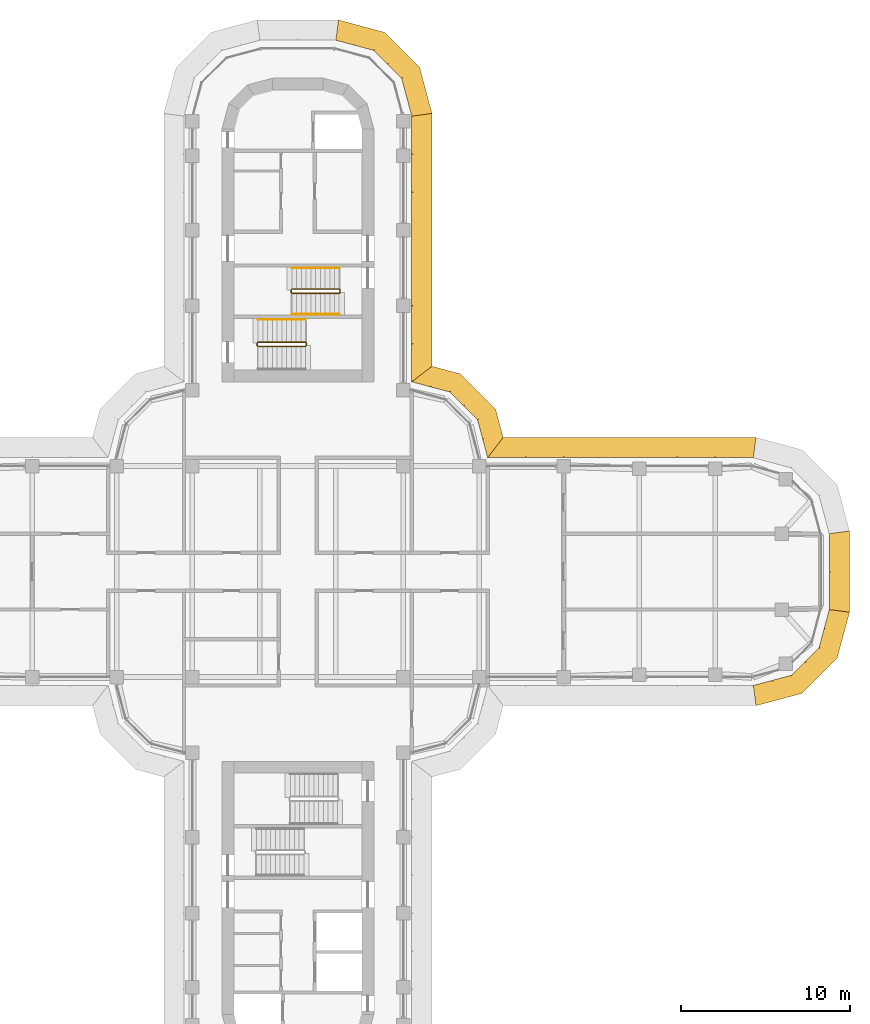
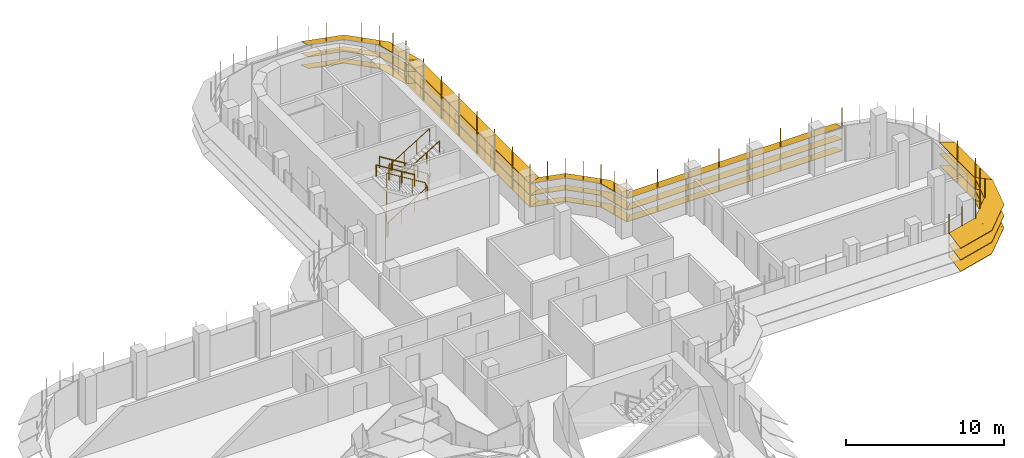
# One storey, part 18 of 19: 6 shading devices, 5 railings.
"""IFC4 building model written with IfcOpenShell, lengths in metres."""

from ifc_helpers import new_model, si_unit, direction, frame, origin, origin_2d, place, context, subcontext, project, spatial, polyline, circle, outline, extrude, faceted_brep, source, transform, mapped, material, type_object, element, save


model = new_model("IFC4")

# Units and contexts
model_context = context("Model", 3, precision=1e-05, world=origin(), true_north=direction((0.0, 1.0)))
body_context = subcontext(model_context, "Body", "Model", "MODEL_VIEW")
ifc_project = project(units=[si_unit("LENGTHUNIT", "METRE"), si_unit("AREAUNIT", "SQUARE_METRE"), si_unit("VOLUMEUNIT", "CUBIC_METRE"), si_unit("PLANEANGLEUNIT", "RADIAN"), si_unit("MASSUNIT", "GRAM", prefix="KILO")], contexts=[model_context])

# Site, building, storey
site_placement = place(None, origin())
site = spatial("IfcSite", under=ifc_project, at=site_placement, CompositionType="ELEMENT")
building_placement = place(site_placement, origin())
building = spatial("IfcBuilding", under=site, at=building_placement, Name="Zarbagh Exchange Tower", CompositionType="ELEMENT")
storey_placement = place(building_placement, frame((0.0, 0.0, 175.199951171875)))
storey = spatial("IfcBuildingStorey", under=building, at=storey_placement, Name="L42", CompositionType="ELEMENT", Elevation=175.199951171875)

# Railings
ifc_material_1 = material(Name="Stainless steel", Category="steel")
railing_type_1 = type_object("IfcRailingType", Name="Stair guard 1100 mm", PredefinedType="GUARDRAIL", material=ifc_material_1)
railing_1_placement = place(storey_placement, frame((-0.35009765625, 16.5, 2.07275390625)))
element("IfcRailing", 1, at=railing_1_placement, inside=storey, type_object=railing_type_1, Name="ST1 stair guard 1", PredefinedType="GUARDRAIL", context=body_context, shape_type="SweptSolid", body=[
    extrude(circle(Radius=0.02392578125, at=origin_2d()), frame((0.0, 0.0, 1.076171875), z_axis=(0.851089632645, 0.0, 0.525020415988), x_axis=(0.0, 1.0, 0.0)), (0.0, 0.0, 1.0), 3.2900390625),
    extrude(circle(Radius=0.02392578125, at=origin_2d()), frame((2.800048828125, 0.0, 2.80322265625), z_axis=(0.013168290981, 0.013168290981, -0.999826581076), x_axis=(-0.707106781187, 0.707106781187, 0.0)), (0.0, 0.0, 1.0), 3.80078125),
    extrude(circle(Radius=0.02392578125, at=origin_2d()), frame((2.85009765625, 0.050048828125, -0.99658203125), z_axis=(0.0, 1.0, 0.0), x_axis=(-1.0, 0.0, 0.0)), (0.0, 0.0, 1.0), 0.14990234375),
    extrude(circle(Radius=0.02392578125, at=origin_2d()), frame((2.85009765625, 0.199951171875, -0.99658203125), z_axis=(-0.267953482034, 0.267953482034, 0.925419830635), x_axis=(-0.707106781187, -0.707106781187, 0.0)), (0.0, 0.0, 1.0), 0.186767578125),
    extrude(circle(Radius=0.02392578125, at=origin_2d()), frame((2.800048828125, 0.25, -0.82373046875), z_axis=(-0.851089632645, 0.0, 0.525020415988), x_axis=(0.0, -1.0, 0.0)), (0.0, 0.0, 1.0), 3.2900390625),
    extrude(circle(Radius=0.02392578125, at=origin_2d()), frame((0.0, 0.25, 0.9033203125), z_axis=(-0.705375805398, -0.708833529934, 0.0), x_axis=(0.708833529934, -0.705375805398, 0.0)), (0.0, 0.0, 1.0), 0.070556640625),
    extrude(circle(Radius=0.02392578125, at=origin_2d()), frame((-0.0498046875, 0.199951171875, 0.9033203125), z_axis=(0.0, -1.0, 0.0), x_axis=(1.0, 0.0, 0.0)), (0.0, 0.0, 1.0), 0.14990234375),
    extrude(circle(Radius=0.02099609375, at=origin_2d()), origin(), (0.0, 0.0, 1.0), 1.052001953125),
    extrude(circle(Radius=0.02099609375, at=origin_2d()), frame((0.933349609375, 0.0, 0.57568359375)), (0.0, 0.0, 1.0), 1.052001953125),
    extrude(circle(Radius=0.02099609375, at=origin_2d()), frame((1.86669921875, 0.0, 1.151611328125)), (0.0, 0.0, 1.0), 1.052001953125),
    extrude(circle(Radius=0.02099609375, at=origin_2d()), frame((2.800048828125, 0.0, 1.727294921875)), (0.0, 0.0, 1.0), 1.052001953125),
    extrude(circle(Radius=0.02099609375, at=origin_2d()), frame((2.8125, 0.012451171875, 0.77734375)), (0.0, 0.0, 1.0), 1.052001953125),
    extrude(circle(Radius=0.02099609375, at=origin_2d()), frame((2.8251953125, 0.02490234375, -0.1728515625)), (0.0, 0.0, 1.0), 1.052001953125),
    extrude(circle(Radius=0.02099609375, at=origin_2d()), frame((2.837646484375, 0.03759765625, -1.122802734375)), (0.0, 0.0, 1.0), 1.052001953125),
    extrude(circle(Radius=0.02099609375, at=origin_2d()), frame((2.85009765625, 0.050048828125, -2.07275390625)), (0.0, 0.0, 1.0), 1.052001953125),
    extrude(circle(Radius=0.02099609375, at=origin_2d()), frame((2.85009765625, 0.199951171875, -2.07275390625)), (0.0, 0.0, 1.0), 1.052001953125),
    extrude(circle(Radius=0.02099609375, at=origin_2d()), frame((2.800048828125, 0.25, -1.89990234375)), (0.0, 0.0, 1.0), 1.052001953125),
    extrude(circle(Radius=0.02099609375, at=origin_2d()), frame((1.86669921875, 0.25, -1.32421875)), (0.0, 0.0, 1.0), 1.052001953125),
    extrude(circle(Radius=0.02099609375, at=origin_2d()), frame((0.933349609375, 0.25, -0.748291015625)), (0.0, 0.0, 1.0), 1.052001953125),
    extrude(circle(Radius=0.02099609375, at=origin_2d()), frame((0.0, 0.25, -0.172607421875)), (0.0, 0.0, 1.0), 1.052001953125),
    extrude(circle(Radius=0.02099609375, at=origin_2d()), frame((-0.0498046875, 0.199951171875, -0.172607421875)), (0.0, 0.0, 1.0), 1.052001953125),
    extrude(circle(Radius=0.02099609375, at=origin_2d()), frame((-0.0498046875, 0.050048828125, -0.172607421875)), (0.0, 0.0, 1.0), 1.052001953125),
])
railing_2_placement = place(storey_placement, frame((0.5, 13.39990234375, 1.900146484375)))
element("IfcRailing", 2, at=railing_2_placement, inside=storey, type_object=railing_type_1, Name="ST2 stair guard 1", PredefinedType="GUARDRAIL", context=body_context, shape_type="SweptSolid", body=[
    extrude(circle(Radius=0.02392578125, at=origin_2d()), frame((0.0, 0.0, 1.076171875), z_axis=(0.0, 1.0, 0.0), x_axis=(-1.0, 0.0, 0.0)), (0.0, 0.0, 1.0), 0.150146484375),
    extrude(circle(Radius=0.02392578125, at=origin_2d()), frame((0.0, 0.150146484375, 1.076171875), z_axis=(-0.268277960024, 0.268277960024, 0.925231793839), x_axis=(-0.707106781187, -0.707106781187, 0.0)), (0.0, 0.0, 1.0), 0.1865234375),
    extrude(circle(Radius=0.02392578125, at=origin_2d()), frame((-0.050048828125, 0.2001953125, 1.24853515625), z_axis=(-0.851089632645, 0.0, 0.525020415988), x_axis=(0.0, -1.0, 0.0)), (0.0, 0.0, 1.0), 3.2900390625),
    extrude(circle(Radius=0.02392578125, at=origin_2d()), frame((-2.85009765625, 0.2001953125, 2.97607421875), z_axis=(-0.013104066473, -0.013168302093, -0.99982742474), x_axis=(0.708833529934, -0.705375805398, 0.0)), (0.0, 0.0, 1.0), 3.80078125),
    extrude(circle(Radius=0.02392578125, at=origin_2d()), frame((-2.89990234375, 0.150146484375, -0.82421875), z_axis=(0.0, -1.0, 0.0), x_axis=(1.0, 0.0, 0.0)), (0.0, 0.0, 1.0), 0.150146484375),
    extrude(circle(Radius=0.02392578125, at=origin_2d()), frame((-2.89990234375, 0.0, -0.82421875), z_axis=(0.266832911964, -0.266832911964, 0.926067165051), x_axis=(0.707106781187, 0.707106781187, 0.0)), (0.0, 0.0, 1.0), 0.186767578125),
    extrude(circle(Radius=0.02392578125, at=origin_2d()), frame((-2.85009765625, -0.0498046875, -0.6513671875), z_axis=(0.851089632645, 0.0, 0.525020415988), x_axis=(0.0, 1.0, 0.0)), (0.0, 0.0, 1.0), 3.2900390625),
    extrude(circle(Radius=0.02099609375, at=origin_2d()), origin(), (0.0, 0.0, 1.0), 1.052001953125),
    extrude(circle(Radius=0.02099609375, at=origin_2d()), frame((0.0, 0.150146484375, 0.0)), (0.0, 0.0, 1.0), 1.052001953125),
    extrude(circle(Radius=0.02099609375, at=origin_2d()), frame((-0.050048828125, 0.2001953125, 0.172607421875)), (0.0, 0.0, 1.0), 1.052001953125),
    extrude(circle(Radius=0.02099609375, at=origin_2d()), frame((-0.9833984375, 0.2001953125, 0.748291015625)), (0.0, 0.0, 1.0), 1.052001953125),
    extrude(circle(Radius=0.02099609375, at=origin_2d()), frame((-1.916748046875, 0.2001953125, 1.32421875)), (0.0, 0.0, 1.0), 1.052001953125),
    extrude(circle(Radius=0.02099609375, at=origin_2d()), frame((-2.85009765625, 0.2001953125, 1.89990234375)), (0.0, 0.0, 1.0), 1.052001953125),
    extrude(circle(Radius=0.02099609375, at=origin_2d()), frame((-2.862548828125, 0.187744140625, 0.949951171875)), (0.0, 0.0, 1.0), 1.052001953125),
    extrude(circle(Radius=0.02099609375, at=origin_2d()), frame((-2.875, 0.17529296875, 0.0)), (0.0, 0.0, 1.0), 1.052001953125),
    extrude(circle(Radius=0.02099609375, at=origin_2d()), frame((-2.887451171875, 0.16259765625, -0.9501953125)), (0.0, 0.0, 1.0), 1.052001953125),
    extrude(circle(Radius=0.02099609375, at=origin_2d()), frame((-2.89990234375, 0.150146484375, -1.900146484375)), (0.0, 0.0, 1.0), 1.052001953125),
    extrude(circle(Radius=0.02099609375, at=origin_2d()), frame((-2.89990234375, 0.0, -1.900146484375)), (0.0, 0.0, 1.0), 1.052001953125),
    extrude(circle(Radius=0.02099609375, at=origin_2d()), frame((-2.85009765625, -0.0498046875, -1.727294921875)), (0.0, 0.0, 1.0), 1.052001953125),
    extrude(circle(Radius=0.02099609375, at=origin_2d()), frame((-1.916748046875, -0.0498046875, -1.151611328125)), (0.0, 0.0, 1.0), 1.052001953125),
    extrude(circle(Radius=0.02099609375, at=origin_2d()), frame((-0.9833984375, -0.0498046875, -0.57568359375)), (0.0, 0.0, 1.0), 1.052001953125),
    extrude(circle(Radius=0.02099609375, at=origin_2d()), frame((-0.050048828125, -0.0498046875, 0.0)), (0.0, 0.0, 1.0), 1.052001953125),
])
railing_type_2 = type_object("IfcRailingType", Name="Stair handrail 900 mm", PredefinedType="HANDRAIL", material=ifc_material_1)
railing_3_placement = place(storey_placement, frame((2.449951171875, 18.0, 0.1728515625)))
element("IfcRailing", 3, at=railing_3_placement, inside=storey, type_object=railing_type_2, Name="ST1 stair handrail 1", PredefinedType="HANDRAIL", context=body_context, shape_type="SweptSolid", body=[
    extrude(circle(Radius=0.02392578125, at=origin_2d()), frame((0.0, 0.0, 0.8759765625), z_axis=(-0.851089632645, 0.0, 0.525020415988), x_axis=(0.0, -1.0, 0.0)), (0.0, 0.0, 1.0), 3.2900390625),
    extrude(circle(Radius=0.02099609375, at=origin_2d()), origin(), (0.0, 0.0, 1.0), 0.851806640625),
    extrude(circle(Radius=0.02099609375, at=origin_2d()), frame((-0.933349609375, 0.0, 0.57568359375)), (0.0, 0.0, 1.0), 0.851806640625),
    extrude(circle(Radius=0.02099609375, at=origin_2d()), frame((-1.86669921875, 0.0, 1.151611328125)), (0.0, 0.0, 1.0), 0.851806640625),
    extrude(circle(Radius=0.02099609375, at=origin_2d()), frame((-2.800048828125, 0.0, 1.727294921875)), (0.0, 0.0, 1.0), 0.851806640625),
])
railing_4_placement = place(storey_placement, frame((-0.35009765625, 15.25, 2.07275390625)))
element("IfcRailing", 4, at=railing_4_placement, inside=storey, type_object=railing_type_2, Name="ST1 stair handrail 2", PredefinedType="HANDRAIL", context=body_context, shape_type="SweptSolid", body=[
    extrude(circle(Radius=0.02392578125, at=origin_2d()), frame((0.0, 0.0, 0.8759765625), z_axis=(0.851089632645, 0.0, 0.525020415988), x_axis=(0.0, 1.0, 0.0)), (0.0, 0.0, 1.0), 3.2900390625),
    extrude(circle(Radius=0.02099609375, at=origin_2d()), origin(), (0.0, 0.0, 1.0), 0.851806640625),
    extrude(circle(Radius=0.02099609375, at=origin_2d()), frame((0.933349609375, 0.0, 0.57568359375)), (0.0, 0.0, 1.0), 0.851806640625),
    extrude(circle(Radius=0.02099609375, at=origin_2d()), frame((1.86669921875, 0.0, 1.151611328125)), (0.0, 0.0, 1.0), 0.851806640625),
    extrude(circle(Radius=0.02099609375, at=origin_2d()), frame((2.800048828125, 0.0, 1.727294921875)), (0.0, 0.0, 1.0), 0.851806640625),
])
railing_5_placement = place(storey_placement, frame((0.449951171875, 14.949951171875, 2.07275390625)))
element("IfcRailing", 5, at=railing_5_placement, inside=storey, type_object=railing_type_2, Name="ST2 stair handrail 2", PredefinedType="HANDRAIL", context=body_context, shape_type="SweptSolid", body=[
    extrude(circle(Radius=0.02392578125, at=origin_2d()), frame((0.0, 0.0, 0.8759765625), z_axis=(-0.851089632645, 0.0, 0.525020415988), x_axis=(0.0, -1.0, 0.0)), (0.0, 0.0, 1.0), 3.2900390625),
    extrude(circle(Radius=0.02099609375, at=origin_2d()), origin(), (0.0, 0.0, 1.0), 0.851806640625),
    extrude(circle(Radius=0.02099609375, at=origin_2d()), frame((-0.933349609375, 0.0, 0.57568359375)), (0.0, 0.0, 1.0), 0.851806640625),
    extrude(circle(Radius=0.02099609375, at=origin_2d()), frame((-1.86669921875, 0.0, 1.151611328125)), (0.0, 0.0, 1.0), 0.851806640625),
    extrude(circle(Radius=0.02099609375, at=origin_2d()), frame((-2.800048828125, 0.0, 1.727294921875)), (0.0, 0.0, 1.0), 0.851806640625),
])

# Shading devices
ifc_material_2 = material(Name="Anodised aluminium blades and brackets", Category="aluminium")
shading_device_type = type_object("IfcShadingDeviceType", Name="SUNSHADE louvre band, 22.5 degree blades", PredefinedType="JALOUSIE", material=ifc_material_2)
shared_shape_1 = source(origin(), body_context, "Body", "Brep", [
    faceted_brep([(0.0, 0.0, 0.0), (0.0, 0.0, -0.043212890625), (-0.157958984375, -1.199951171875, -0.540283203125), (-0.157958984375, -1.199951171875, -0.4970703125), (2.65087890625, -1.199951171875, -0.4970703125), (2.65087890625, -1.199951171875, -0.540283203125), (2.329345703125, 0.0, -0.043212890625), (2.329345703125, 0.0, 0.0)], [[[0, 1, 2, 3]], [[4, 5, 6, 7]], [[0, 7, 6, 1]], [[1, 6, 5, 2]], [[2, 5, 4, 3]], [[3, 4, 7, 0]]]),
])
shared_shape_2 = source(origin(), body_context, "Body", "Brep", [
    faceted_brep([(0.0, 0.0, 0.0), (0.0, 0.0, -0.043212890625), (-0.321533203125, -1.199951171875, -0.540283203125), (-0.321533203125, -1.199951171875, -0.4970703125), (2.65087890625, -1.199951171875, -0.4970703125), (2.65087890625, -1.199951171875, -0.540283203125), (2.329345703125, 0.0, -0.043212890625), (2.329345703125, 0.0, 0.0)], [[[0, 1, 2, 3]], [[4, 5, 6, 7]], [[0, 7, 6, 1]], [[1, 6, 5, 2]], [[2, 5, 4, 3]], [[3, 4, 7, 0]]]),
])
shared_shape_3 = source(origin(), body_context, "Body", "Brep", [
    faceted_brep([(0.0, 0.0, 0.0), (0.0, 0.0, -0.043212890625), (-0.321533203125, -1.199951171875, -0.540283203125), (-0.321533203125, -1.199951171875, -0.4970703125), (2.4873046875, -1.199951171875, -0.4970703125), (2.4873046875, -1.199951171875, -0.540283203125), (2.329345703125, 0.0, -0.043212890625), (2.329345703125, 0.0, 0.0)], [[[0, 1, 2, 3]], [[4, 5, 6, 7]], [[0, 7, 6, 1]], [[1, 6, 5, 2]], [[2, 5, 4, 3]], [[3, 4, 7, 0]]]),
])
shared_shape_4 = source(origin(), body_context, "Body", "SweptSolid", [
    extrude(outline(polyline([(0.0, -0.012451171875), (0.06005859375, -0.012451171875), (0.06005859375, 0.012451171875), (0.0, 0.012451171875), (0.0, -0.012451171875)])), origin(), (0.0, 0.0, 1.0), 3.353271484375),
])
placement = place(storey_placement, origin())
element("IfcShadingDevice", 6, at=placement, inside=storey, type_object=shading_device_type, Name="SS31 sunshade band", PredefinedType="JALOUSIE", context=body_context, shape_type="MappedRepresentation", body=[
    mapped(shared_shape_1, transform((27.0, -6.75, 2.300048828125), x_axis=(0.965924289636, 0.258824779902, 0.0), y_axis=(-0.258824779902, 0.965924289636, 0.0), z_axis=(0.0, 0.0, 1.0))),
    mapped(shared_shape_1, transform((27.0, -6.75, 1.400146484375), x_axis=(0.965924289636, 0.258824779902, 0.0), y_axis=(-0.258824779902, 0.965924289636, 0.0), z_axis=(0.0, 0.0, 1.0))),
    mapped(shared_shape_1, transform((27.0, -6.75, 0.5), x_axis=(0.965924289636, 0.258824779902, 0.0), y_axis=(-0.258824779902, 0.965924289636, 0.0), z_axis=(0.0, 0.0, 1.0))),
    mapped(shared_shape_2, transform((29.25, -6.147216796875, 2.300048828125), x_axis=(0.707106781187, 0.707106781187, 0.0), y_axis=(-0.707106781187, 0.707106781187, 0.0), z_axis=(0.0, 0.0, 1.0))),
    mapped(shared_shape_2, transform((29.25, -6.147216796875, 1.400146484375), x_axis=(0.707106781187, 0.707106781187, 0.0), y_axis=(-0.707106781187, 0.707106781187, 0.0), z_axis=(0.0, 0.0, 1.0))),
    mapped(shared_shape_2, transform((29.25, -6.147216796875, 0.5), x_axis=(0.707106781187, 0.707106781187, 0.0), y_axis=(-0.707106781187, 0.707106781187, 0.0), z_axis=(0.0, 0.0, 1.0))),
    mapped(shared_shape_3, transform((30.897216796875, -4.5, 2.300048828125), x_axis=(0.258824779902, 0.965924289636, 0.0), y_axis=(-0.965924289636, 0.258824779902, 0.0), z_axis=(0.0, 0.0, 1.0))),
    mapped(shared_shape_3, transform((30.897216796875, -4.5, 1.400146484375), x_axis=(0.258824779902, 0.965924289636, 0.0), y_axis=(-0.965924289636, 0.258824779902, 0.0), z_axis=(0.0, 0.0, 1.0))),
    mapped(shared_shape_3, transform((30.897216796875, -4.5, 0.5), x_axis=(0.258824779902, 0.965924289636, 0.0), y_axis=(-0.965924289636, 0.258824779902, 0.0), z_axis=(0.0, 0.0, 1.0))),
    mapped(shared_shape_4, transform((27.0, -6.75, 0.4267578125), x_axis=(0.130529263012, -0.991444457092, 0.0), y_axis=(0.991444457092, 0.130529263012, 0.0), z_axis=(0.0, 0.0, 1.0))),
    mapped(shared_shape_4, transform((28.125, -6.448486328125, 0.4267578125), x_axis=(0.258825058029, -0.96592421511, 0.0), y_axis=(0.96592421511, 0.258825058029, 0.0), z_axis=(0.0, 0.0, 1.0))),
    mapped(shared_shape_4, transform((29.25, -6.147216796875, 0.4267578125), x_axis=(0.50000275701, -0.866023812018, 0.0), y_axis=(0.866023812018, 0.50000275701, 0.0), z_axis=(0.0, 0.0, 1.0))),
    mapped(shared_shape_4, transform((30.073486328125, -5.323486328125, 0.4267578125), x_axis=(0.707106781187, -0.707106781187, 0.0), y_axis=(0.707106781187, 0.707106781187, 0.0), z_axis=(0.0, 0.0, 1.0))),
    mapped(shared_shape_4, transform((30.897216796875, -4.5, 0.4267578125), x_axis=(0.866023812018, -0.50000275701, 0.0), y_axis=(0.50000275701, 0.866023812018, 0.0), z_axis=(0.0, 0.0, 1.0))),
    mapped(shared_shape_4, transform((31.198486328125, -3.375, 0.4267578125), x_axis=(0.96592421511, -0.258825058029, 0.0), y_axis=(0.258825058029, 0.96592421511, 0.0), z_axis=(0.0, 0.0, 1.0))),
])
element("IfcShadingDevice", 7, at=placement, inside=storey, type_object=shading_device_type, Name="SS26 sunshade band", PredefinedType="JALOUSIE", context=body_context, shape_type="MappedRepresentation", body=[
    mapped(shared_shape_1, transform((6.75, 27.0, 2.300048828125), x_axis=(-0.258824779902, 0.965924289636, 0.0), y_axis=(-0.965924289636, -0.258824779902, 0.0), z_axis=(0.0, 0.0, 1.0))),
    mapped(shared_shape_1, transform((6.75, 27.0, 1.400146484375), x_axis=(-0.258824779902, 0.965924289636, 0.0), y_axis=(-0.965924289636, -0.258824779902, 0.0), z_axis=(0.0, 0.0, 1.0))),
    mapped(shared_shape_1, transform((6.75, 27.0, 0.5), x_axis=(-0.258824779902, 0.965924289636, 0.0), y_axis=(-0.965924289636, -0.258824779902, 0.0), z_axis=(0.0, 0.0, 1.0))),
    mapped(shared_shape_2, transform((6.147216796875, 29.25, 2.300048828125), x_axis=(-0.707106781187, 0.707106781187, 0.0), y_axis=(-0.707106781187, -0.707106781187, 0.0), z_axis=(0.0, 0.0, 1.0))),
    mapped(shared_shape_2, transform((6.147216796875, 29.25, 1.400146484375), x_axis=(-0.707106781187, 0.707106781187, 0.0), y_axis=(-0.707106781187, -0.707106781187, 0.0), z_axis=(0.0, 0.0, 1.0))),
    mapped(shared_shape_2, transform((6.147216796875, 29.25, 0.5), x_axis=(-0.707106781187, 0.707106781187, 0.0), y_axis=(-0.707106781187, -0.707106781187, 0.0), z_axis=(0.0, 0.0, 1.0))),
    mapped(shared_shape_3, transform((4.5, 30.897216796875, 2.300048828125), x_axis=(-0.965924289636, 0.258824779902, 0.0), y_axis=(-0.258824779902, -0.965924289636, 0.0), z_axis=(0.0, 0.0, 1.0))),
    mapped(shared_shape_3, transform((4.5, 30.897216796875, 1.400146484375), x_axis=(-0.965924289636, 0.258824779902, 0.0), y_axis=(-0.258824779902, -0.965924289636, 0.0), z_axis=(0.0, 0.0, 1.0))),
    mapped(shared_shape_3, transform((4.5, 30.897216796875, 0.5), x_axis=(-0.965924289636, 0.258824779902, 0.0), y_axis=(-0.258824779902, -0.965924289636, 0.0), z_axis=(0.0, 0.0, 1.0))),
    mapped(shared_shape_4, transform((6.75, 27.0, 0.4267578125), x_axis=(0.991444457092, 0.130529263012, 0.0), y_axis=(-0.130529263012, 0.991444457092, 0.0), z_axis=(0.0, 0.0, 1.0))),
    mapped(shared_shape_4, transform((6.448486328125, 28.125, 0.4267578125), x_axis=(0.96592421511, 0.258825058029, 0.0), y_axis=(-0.258825058029, 0.96592421511, 0.0), z_axis=(0.0, 0.0, 1.0))),
    mapped(shared_shape_4, transform((6.147216796875, 29.25, 0.4267578125), x_axis=(0.866023812018, 0.50000275701, 0.0), y_axis=(-0.50000275701, 0.866023812018, 0.0), z_axis=(0.0, 0.0, 1.0))),
    mapped(shared_shape_4, transform((5.323486328125, 30.073486328125, 0.4267578125), x_axis=(0.707106781187, 0.707106781187, 0.0), y_axis=(-0.707106781187, 0.707106781187, 0.0), z_axis=(0.0, 0.0, 1.0))),
    mapped(shared_shape_4, transform((4.5, 30.897216796875, 0.4267578125), x_axis=(0.50000275701, 0.866023812018, 0.0), y_axis=(-0.866023812018, 0.50000275701, 0.0), z_axis=(0.0, 0.0, 1.0))),
    mapped(shared_shape_4, transform((3.375, 31.198486328125, 0.4267578125), x_axis=(0.258825058029, 0.96592421511, 0.0), y_axis=(-0.96592421511, 0.258825058029, 0.0), z_axis=(0.0, 0.0, 1.0))),
])
shared_shape_5 = source(origin(), body_context, "Body", "Brep", [
    faceted_brep([(0.0, 0.0, 0.0), (0.0, 0.0, -0.043212890625), (0.9208984375, -1.199951171875, -0.540283203125), (0.9208984375, -1.199951171875, -0.4970703125), (2.65087890625, -1.199951171875, -0.4970703125), (2.65087890625, -1.199951171875, -0.540283203125), (2.329345703125, 0.0, -0.043212890625), (2.329345703125, 0.0, 0.0)], [[[0, 1, 2, 3]], [[4, 5, 6, 7]], [[0, 7, 6, 1]], [[1, 6, 5, 2]], [[2, 5, 4, 3]], [[3, 4, 7, 0]]]),
])
shared_shape_6 = source(origin(), body_context, "Body", "Brep", [
    faceted_brep([(0.0, 0.0, 0.0), (0.0, 0.0, -0.043212890625), (-0.321533203125, -1.199951171875, -0.540283203125), (-0.321533203125, -1.199951171875, -0.4970703125), (1.40869140625, -1.199951171875, -0.4970703125), (1.40869140625, -1.199951171875, -0.540283203125), (2.329345703125, 0.0, -0.043212890625), (2.329345703125, 0.0, 0.0)], [[[0, 1, 2, 3]], [[4, 5, 6, 7]], [[0, 7, 6, 1]], [[1, 6, 5, 2]], [[2, 5, 4, 3]], [[3, 4, 7, 0]]]),
])
element("IfcShadingDevice", 8, at=placement, inside=storey, type_object=shading_device_type, Name="SS09 sunshade band", PredefinedType="JALOUSIE", context=body_context, shape_type="MappedRepresentation", body=[
    mapped(shared_shape_5, transform((11.25, 6.75, 2.300048828125), x_axis=(-0.258824779902, 0.965924289636, 0.0), y_axis=(-0.965924289636, -0.258824779902, 0.0), z_axis=(0.0, 0.0, 1.0))),
    mapped(shared_shape_5, transform((11.25, 6.75, 1.400146484375), x_axis=(-0.258824779902, 0.965924289636, 0.0), y_axis=(-0.965924289636, -0.258824779902, 0.0), z_axis=(0.0, 0.0, 1.0))),
    mapped(shared_shape_5, transform((11.25, 6.75, 0.5), x_axis=(-0.258824779902, 0.965924289636, 0.0), y_axis=(-0.965924289636, -0.258824779902, 0.0), z_axis=(0.0, 0.0, 1.0))),
    mapped(shared_shape_2, transform((10.647216796875, 9.0, 2.300048828125), x_axis=(-0.707106781187, 0.707106781187, 0.0), y_axis=(-0.707106781187, -0.707106781187, 0.0), z_axis=(0.0, 0.0, 1.0))),
    mapped(shared_shape_2, transform((10.647216796875, 9.0, 1.400146484375), x_axis=(-0.707106781187, 0.707106781187, 0.0), y_axis=(-0.707106781187, -0.707106781187, 0.0), z_axis=(0.0, 0.0, 1.0))),
    mapped(shared_shape_2, transform((10.647216796875, 9.0, 0.5), x_axis=(-0.707106781187, 0.707106781187, 0.0), y_axis=(-0.707106781187, -0.707106781187, 0.0), z_axis=(0.0, 0.0, 1.0))),
    mapped(shared_shape_6, transform((9.0, 10.647216796875, 2.300048828125), x_axis=(-0.965924289636, 0.258824779902, 0.0), y_axis=(-0.258824779902, -0.965924289636, 0.0), z_axis=(0.0, 0.0, 1.0))),
    mapped(shared_shape_6, transform((9.0, 10.647216796875, 1.400146484375), x_axis=(-0.965924289636, 0.258824779902, 0.0), y_axis=(-0.258824779902, -0.965924289636, 0.0), z_axis=(0.0, 0.0, 1.0))),
    mapped(shared_shape_6, transform((9.0, 10.647216796875, 0.5), x_axis=(-0.965924289636, 0.258824779902, 0.0), y_axis=(-0.258824779902, -0.965924289636, 0.0), z_axis=(0.0, 0.0, 1.0))),
    mapped(shared_shape_4, transform((11.25, 6.75, 0.4267578125), x_axis=(0.608758892, 0.793355287, 0.0), y_axis=(-0.793355287, 0.608758892, 0.0), z_axis=(0.0, 0.0, 1.0))),
    mapped(shared_shape_4, transform((10.948486328125, 7.875, 0.4267578125), x_axis=(0.96592421511, 0.258825058029, 0.0), y_axis=(-0.258825058029, 0.96592421511, 0.0), z_axis=(0.0, 0.0, 1.0))),
    mapped(shared_shape_4, transform((10.647216796875, 9.0, 0.4267578125), x_axis=(0.866023812018, 0.50000275701, 0.0), y_axis=(-0.50000275701, 0.866023812018, 0.0), z_axis=(0.0, 0.0, 1.0))),
    mapped(shared_shape_4, transform((9.823486328125, 9.823486328125, 0.4267578125), x_axis=(0.707106781187, 0.707106781187, 0.0), y_axis=(-0.707106781187, 0.707106781187, 0.0), z_axis=(0.0, 0.0, 1.0))),
    mapped(shared_shape_4, transform((9.0, 10.647216796875, 0.4267578125), x_axis=(0.50000275701, 0.866023812018, 0.0), y_axis=(-0.866023812018, 0.50000275701, 0.0), z_axis=(0.0, 0.0, 1.0))),
    mapped(shared_shape_4, transform((7.875, 10.948486328125, 0.4267578125), x_axis=(0.258825058029, 0.96592421511, 0.0), y_axis=(-0.96592421511, 0.258825058029, 0.0), z_axis=(0.0, 0.0, 1.0))),
])
shared_shape_7 = source(origin(), body_context, "Body", "Brep", [
    faceted_brep([(0.0, 0.0, 0.0), (0.0, 0.0, -0.043212890625), (-0.157958984375, -1.199951171875, -0.540283203125), (-0.157958984375, -1.199951171875, -0.4970703125), (4.657958984375, -1.199951171875, -0.4970703125), (4.657958984375, -1.199951171875, -0.540283203125), (4.5, 0.0, -0.043212890625), (4.5, 0.0, 0.0)], [[[0, 1, 2, 3]], [[4, 5, 6, 7]], [[0, 7, 6, 1]], [[1, 6, 5, 2]], [[2, 5, 4, 3]], [[3, 4, 7, 0]]]),
])
element("IfcShadingDevice", 9, at=placement, inside=storey, type_object=shading_device_type, Name="SS32 sunshade band", PredefinedType="JALOUSIE", context=body_context, shape_type="MappedRepresentation", body=[
    mapped(shared_shape_7, transform((31.5, -2.25, 2.300048828125), x_axis=(0.0, 1.0, 0.0), y_axis=(-1.0, 0.0, 0.0), z_axis=(0.0, 0.0, 1.0))),
    mapped(shared_shape_7, transform((31.5, -2.25, 1.400146484375), x_axis=(0.0, 1.0, 0.0), y_axis=(-1.0, 0.0, 0.0), z_axis=(0.0, 0.0, 1.0))),
    mapped(shared_shape_7, transform((31.5, -2.25, 0.5), x_axis=(0.0, 1.0, 0.0), y_axis=(-1.0, 0.0, 0.0), z_axis=(0.0, 0.0, 1.0))),
    mapped(shared_shape_4, transform((31.5, -2.25, 0.4267578125), x_axis=(0.991444457092, -0.130529263012, 0.0), y_axis=(0.130529263012, 0.991444457092, 0.0), z_axis=(0.0, 0.0, 1.0))),
    mapped(shared_shape_4, transform((31.5, 0.0, 0.4267578125), x_axis=(1.0, 0.0, 0.0), y_axis=(0.0, 1.0, 0.0), z_axis=(0.0, 0.0, 1.0))),
])
shared_shape_8 = source(origin(), body_context, "Body", "Brep", [
    faceted_brep([(0.0, 0.0, 0.0), (0.0, 0.0, -0.043212890625), (-0.157958984375, -1.199951171875, -0.540283203125), (-0.157958984375, -1.199951171875, -0.4970703125), (14.8291015625, -1.199951171875, -0.4970703125), (14.8291015625, -1.199951171875, -0.540283203125), (15.75, 0.0, -0.043212890625), (15.75, 0.0, 0.0)], [[[0, 1, 2, 3]], [[4, 5, 6, 7]], [[0, 7, 6, 1]], [[1, 6, 5, 2]], [[2, 5, 4, 3]], [[3, 4, 7, 0]]]),
])
element("IfcShadingDevice", 10, at=placement, inside=storey, type_object=shading_device_type, Name="SS34 sunshade band", PredefinedType="JALOUSIE", context=body_context, shape_type="MappedRepresentation", body=[
    mapped(shared_shape_8, transform((27.0, 6.75, 2.300048828125), x_axis=(-1.0, 0.0, 0.0), y_axis=(0.0, -1.0, 0.0), z_axis=(0.0, 0.0, 1.0))),
    mapped(shared_shape_8, transform((27.0, 6.75, 1.400146484375), x_axis=(-1.0, 0.0, 0.0), y_axis=(0.0, -1.0, 0.0), z_axis=(0.0, 0.0, 1.0))),
    mapped(shared_shape_8, transform((27.0, 6.75, 0.5), x_axis=(-1.0, 0.0, 0.0), y_axis=(0.0, -1.0, 0.0), z_axis=(0.0, 0.0, 1.0))),
    mapped(shared_shape_4, transform((27.0, 6.75, 0.4267578125), x_axis=(0.130529263012, 0.991444457092, 0.0), y_axis=(-0.991444457092, 0.130529263012, 0.0), z_axis=(0.0, 0.0, 1.0))),
    mapped(shared_shape_4, transform((24.75, 6.75, 0.4267578125), x_axis=(0.0, 1.0, 0.0), y_axis=(-1.0, 0.0, 0.0), z_axis=(0.0, 0.0, 1.0))),
    mapped(shared_shape_4, transform((22.5, 6.75, 0.4267578125), x_axis=(0.0, 1.0, 0.0), y_axis=(-1.0, 0.0, 0.0), z_axis=(0.0, 0.0, 1.0))),
    mapped(shared_shape_4, transform((20.25, 6.75, 0.4267578125), x_axis=(0.0, 1.0, 0.0), y_axis=(-1.0, 0.0, 0.0), z_axis=(0.0, 0.0, 1.0))),
    mapped(shared_shape_4, transform((18.0, 6.75, 0.4267578125), x_axis=(0.0, 1.0, 0.0), y_axis=(-1.0, 0.0, 0.0), z_axis=(0.0, 0.0, 1.0))),
    mapped(shared_shape_4, transform((15.75, 6.75, 0.4267578125), x_axis=(0.0, 1.0, 0.0), y_axis=(-1.0, 0.0, 0.0), z_axis=(0.0, 0.0, 1.0))),
    mapped(shared_shape_4, transform((13.5, 6.75, 0.4267578125), x_axis=(0.0, 1.0, 0.0), y_axis=(-1.0, 0.0, 0.0), z_axis=(0.0, 0.0, 1.0))),
])
shared_shape_9 = source(origin(), body_context, "Body", "Brep", [
    faceted_brep([(0.0, 0.0, 0.0), (0.0, 0.0, -0.043212890625), (0.9208984375, -1.199951171875, -0.540283203125), (0.9208984375, -1.199951171875, -0.4970703125), (15.907958984375, -1.199951171875, -0.4970703125), (15.907958984375, -1.199951171875, -0.540283203125), (15.75, 0.0, -0.043212890625), (15.75, 0.0, 0.0)], [[[0, 1, 2, 3]], [[4, 5, 6, 7]], [[0, 7, 6, 1]], [[1, 6, 5, 2]], [[2, 5, 4, 3]], [[3, 4, 7, 0]]]),
])
element("IfcShadingDevice", 11, at=placement, inside=storey, type_object=shading_device_type, Name="SS25 sunshade band", PredefinedType="JALOUSIE", context=body_context, shape_type="MappedRepresentation", body=[
    mapped(shared_shape_9, transform((6.75, 11.25, 2.300048828125), x_axis=(0.0, 1.0, 0.0), y_axis=(-1.0, 0.0, 0.0), z_axis=(0.0, 0.0, 1.0))),
    mapped(shared_shape_9, transform((6.75, 11.25, 1.400146484375), x_axis=(0.0, 1.0, 0.0), y_axis=(-1.0, 0.0, 0.0), z_axis=(0.0, 0.0, 1.0))),
    mapped(shared_shape_9, transform((6.75, 11.25, 0.5), x_axis=(0.0, 1.0, 0.0), y_axis=(-1.0, 0.0, 0.0), z_axis=(0.0, 0.0, 1.0))),
    mapped(shared_shape_4, transform((6.75, 11.25, 0.4267578125), x_axis=(0.793355287, 0.608758892, 0.0), y_axis=(-0.608758892, 0.793355287, 0.0), z_axis=(0.0, 0.0, 1.0))),
    mapped(shared_shape_4, transform((6.75, 13.5, 0.4267578125), x_axis=(1.0, 0.0, 0.0), y_axis=(0.0, 1.0, 0.0), z_axis=(0.0, 0.0, 1.0))),
    mapped(shared_shape_4, transform((6.75, 15.75, 0.4267578125), x_axis=(1.0, 0.0, 0.0), y_axis=(0.0, 1.0, 0.0), z_axis=(0.0, 0.0, 1.0))),
    mapped(shared_shape_4, transform((6.75, 18.0, 0.4267578125), x_axis=(1.0, 0.0, 0.0), y_axis=(0.0, 1.0, 0.0), z_axis=(0.0, 0.0, 1.0))),
    mapped(shared_shape_4, transform((6.75, 20.25, 0.4267578125), x_axis=(1.0, 0.0, 0.0), y_axis=(0.0, 1.0, 0.0), z_axis=(0.0, 0.0, 1.0))),
    mapped(shared_shape_4, transform((6.75, 22.5, 0.4267578125), x_axis=(1.0, 0.0, 0.0), y_axis=(0.0, 1.0, 0.0), z_axis=(0.0, 0.0, 1.0))),
    mapped(shared_shape_4, transform((6.75, 24.75, 0.4267578125), x_axis=(1.0, 0.0, 0.0), y_axis=(0.0, 1.0, 0.0), z_axis=(0.0, 0.0, 1.0))),
])

save(model, "model.ifc")
